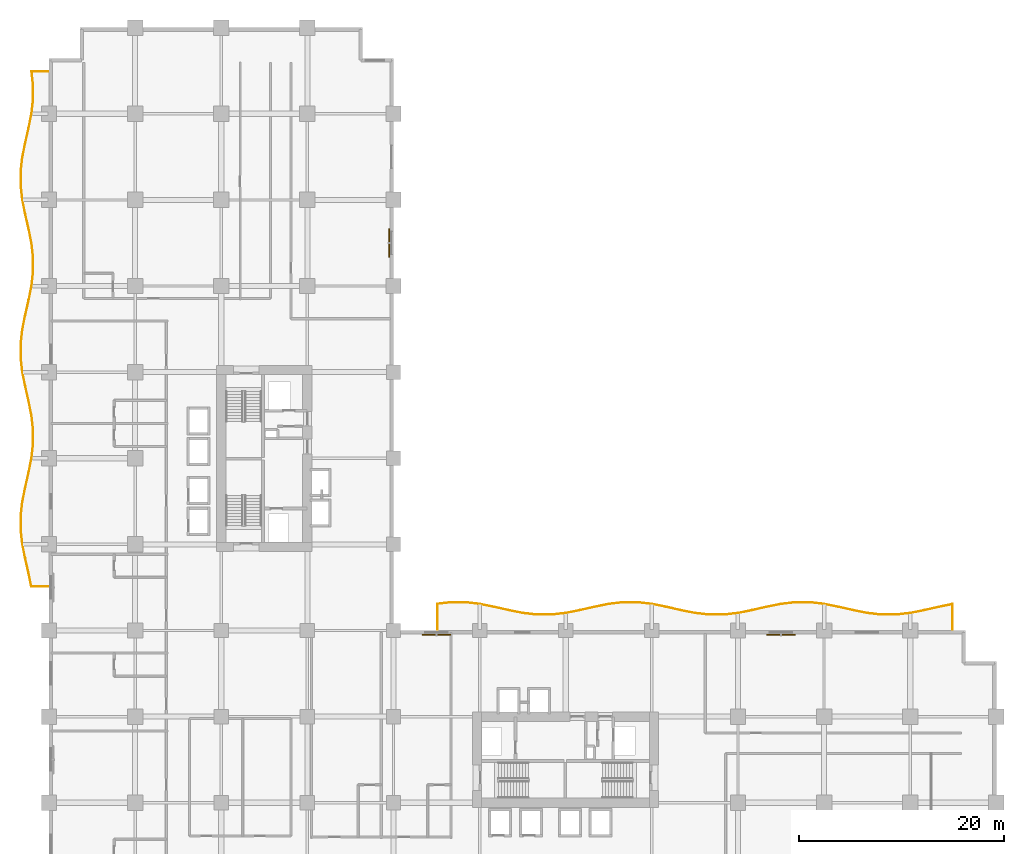
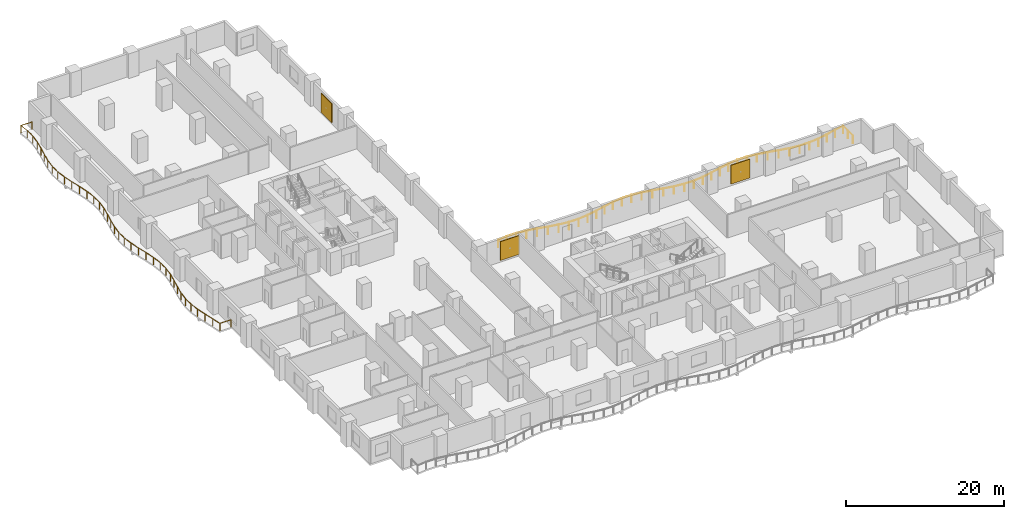
# One storey, part 20 of 20: 3 shading devices, 2 railings.
"""IFC4 building model written with IfcOpenShell, lengths in metres."""

from ifc_helpers import new_model, si_unit, direction, frame, origin, origin_2d, place, context, subcontext, project, spatial, rectangle, circle, extrude, material, layer, layer_set, type_object, element, save


model = new_model("IFC4")

# Units and contexts
model_context = context("Model", 3, precision=1e-05, world=origin(), true_north=direction((0.0, 1.0)))
body_context = subcontext(model_context, "Body", "Model", "MODEL_VIEW")
ifc_project = project(units=[si_unit("LENGTHUNIT", "METRE"), si_unit("AREAUNIT", "SQUARE_METRE"), si_unit("VOLUMEUNIT", "CUBIC_METRE"), si_unit("PLANEANGLEUNIT", "RADIAN"), si_unit("MASSUNIT", "GRAM", prefix="KILO")], contexts=[model_context])

# Site, building, storey
site_placement = place(None, origin())
site = spatial("IfcSite", under=ifc_project, at=site_placement, CompositionType="ELEMENT")
building_placement = place(site_placement, origin())
building = spatial("IfcBuilding", under=site, at=building_placement, Name="Koriwani Terraces Tower", CompositionType="ELEMENT")
storey_placement = place(building_placement, frame((0.0, 0.0, 66.199951171875)))
storey = spatial("IfcBuildingStorey", under=building, at=storey_placement, Name="L15", CompositionType="ELEMENT", Elevation=66.199951171875)

# Railings
ifc_material_1 = material(Name="Steel ASTM A572 Grade 50", Category="steel")
railing_type = type_object("IfcRailingType", Name="GUARD_BALUSTRADE_1150", PredefinedType="BALUSTRADE", material=ifc_material_1)
railing_1_placement = place(storey_placement, frame((-0.080078125, 37.8798828125, 0.0)))
element("IfcRailing", 1, at=railing_1_placement, inside=storey, type_object=railing_type, Name="L15 Balcony Perimeter Safety Balustrade (W)", PredefinedType="BALUSTRADE", context=body_context, shape_type="SweptSolid", body=[
    extrude(circle(Radius=0.02392578125, at=origin_2d()), frame((0.0, 0.0, 1.1259765625), z_axis=(-1.0, 0.0, 0.0), x_axis=(0.0, -1.0, 0.0)), (0.0, 0.0, 1.0), 1.637451171875),
    extrude(circle(Radius=0.02392578125, at=origin_2d()), frame((-1.637451171875, 0.0, 1.1259765625), z_axis=(-0.196253874553, 0.980553117747, 0.0), x_axis=(-0.980553117747, -0.196253874553, 0.0)), (0.0, 0.0, 1.0), 1.363525390625),
    extrude(circle(Radius=0.02392578125, at=origin_2d()), frame((-1.905029296875, 1.3369140625, 1.1259765625), z_axis=(-0.225107657095, 0.974333896935, 0.0), x_axis=(-0.974333896935, -0.225107657095, 0.0)), (0.0, 0.0, 1.0), 1.43701171875),
    extrude(circle(Radius=0.02392578125, at=origin_2d()), frame((-2.228515625, 2.737060546875, 1.1259765625), z_axis=(-0.196248091466, 0.980554275191, 0.0), x_axis=(-0.980554275191, -0.196248091466, 0.0)), (0.0, 0.0, 1.0), 1.423095703125),
    extrude(circle(Radius=0.02392578125, at=origin_2d()), frame((-2.5078125, 4.132568359375, 1.1259765625), z_axis=(-0.114809259658, 0.993387554732, 0.0), x_axis=(-0.993387554732, -0.114809259658, 0.0)), (0.0, 0.0, 1.0), 1.4013671875),
    extrude(circle(Radius=0.02392578125, at=origin_2d()), frame((-2.668701171875, 5.524658203125, 1.1259765625), z_axis=(0.0, 1.0, 0.0), x_axis=(-1.0, 0.0, 0.0)), (0.0, 0.0, 1.0), 1.390869140625),
    extrude(circle(Radius=0.02392578125, at=origin_2d()), frame((-2.668701171875, 6.91552734375, 1.1259765625), z_axis=(0.114809259658, 0.993387554732, 0.0), x_axis=(-0.993387554732, 0.114809259658, 0.0)), (0.0, 0.0, 1.0), 1.4013671875),
    extrude(circle(Radius=0.02392578125, at=origin_2d()), frame((-2.5078125, 8.3076171875, 1.1259765625), z_axis=(0.196248091466, 0.980554275191, 0.0), x_axis=(-0.980554275191, 0.196248091466, 0.0)), (0.0, 0.0, 1.0), 1.423095703125),
    extrude(circle(Radius=0.02392578125, at=origin_2d()), frame((-2.228515625, 9.703125, 1.1259765625), z_axis=(0.225107657095, 0.974333896935, 0.0), x_axis=(-0.974333896935, 0.225107657095, 0.0)), (0.0, 0.0, 1.0), 1.43701171875),
    extrude(circle(Radius=0.02392578125, at=origin_2d()), frame((-1.905029296875, 11.103271484375, 1.1259765625), z_axis=(0.196181690301, 0.980567562379, 0.0), x_axis=(-0.980567562379, 0.196181690301, 0.0)), (0.0, 0.0, 1.0), 1.432373046875),
    extrude(circle(Radius=0.02392578125, at=origin_2d()), frame((-1.6240234375, 12.5078125, 1.1259765625), z_axis=(0.114741814309, 0.993395347306, 0.0), x_axis=(-0.993395347306, 0.114741814309, 0.0)), (0.0, 0.0, 1.0), 1.4169921875),
    extrude(circle(Radius=0.02392578125, at=origin_2d()), frame((-1.46142578125, 13.91552734375, 1.1259765625), z_axis=(0.0, 1.0, 0.0), x_axis=(-1.0, 0.0, 0.0)), (0.0, 0.0, 1.0), 1.4091796875),
    extrude(circle(Radius=0.02392578125, at=origin_2d()), frame((-1.46142578125, 15.32470703125, 1.1259765625), z_axis=(-0.114741814309, 0.993395347306, 0.0), x_axis=(-0.993395347306, -0.114741814309, 0.0)), (0.0, 0.0, 1.0), 1.4169921875),
    extrude(circle(Radius=0.02392578125, at=origin_2d()), frame((-1.6240234375, 16.732421875, 1.1259765625), z_axis=(-0.196181690301, 0.980567562379, 0.0), x_axis=(-0.980567562379, -0.196181690301, 0.0)), (0.0, 0.0, 1.0), 1.432373046875),
    extrude(circle(Radius=0.02392578125, at=origin_2d()), frame((-1.905029296875, 18.136962890625, 1.1259765625), z_axis=(-0.225107657095, 0.974333896935, 0.0), x_axis=(-0.974333896935, -0.225107657095, 0.0)), (0.0, 0.0, 1.0), 1.43701171875),
    extrude(circle(Radius=0.02392578125, at=origin_2d()), frame((-2.228515625, 19.537109375, 1.1259765625), z_axis=(-0.196248091466, 0.980554275191, 0.0), x_axis=(-0.980554275191, -0.196248091466, 0.0)), (0.0, 0.0, 1.0), 1.423095703125),
    extrude(circle(Radius=0.02392578125, at=origin_2d()), frame((-2.5078125, 20.9326171875, 1.1259765625), z_axis=(-0.114809259658, 0.993387554732, 0.0), x_axis=(-0.993387554732, -0.114809259658, 0.0)), (0.0, 0.0, 1.0), 1.4013671875),
    extrude(circle(Radius=0.02392578125, at=origin_2d()), frame((-2.668701171875, 22.32470703125, 1.1259765625), z_axis=(0.0, 1.0, 0.0), x_axis=(-1.0, 0.0, 0.0)), (0.0, 0.0, 1.0), 1.390869140625),
    extrude(circle(Radius=0.02392578125, at=origin_2d()), frame((-2.668701171875, 23.715576171875, 1.1259765625), z_axis=(0.114809259658, 0.993387554732, 0.0), x_axis=(-0.993387554732, 0.114809259658, 0.0)), (0.0, 0.0, 1.0), 1.4013671875),
    extrude(circle(Radius=0.02392578125, at=origin_2d()), frame((-2.5078125, 25.107666015625, 1.1259765625), z_axis=(0.196248091466, 0.980554275191, 0.0), x_axis=(-0.980554275191, 0.196248091466, 0.0)), (0.0, 0.0, 1.0), 1.423095703125),
    extrude(circle(Radius=0.02392578125, at=origin_2d()), frame((-2.228515625, 26.503173828125, 1.1259765625), z_axis=(0.225107657095, 0.974333896935, 0.0), x_axis=(-0.974333896935, 0.225107657095, 0.0)), (0.0, 0.0, 1.0), 1.43701171875),
    extrude(circle(Radius=0.02392578125, at=origin_2d()), frame((-1.905029296875, 27.9033203125, 1.1259765625), z_axis=(0.19621448399, 0.980561000791, 0.0), x_axis=(-0.980561000791, 0.19621448399, 0.0)), (0.0, 0.0, 1.0), 1.43212890625),
    extrude(circle(Radius=0.02392578125, at=origin_2d()), frame((-1.6240234375, 29.3076171875, 1.1259765625), z_axis=(0.114722179915, 0.993397614974, 0.0), x_axis=(-0.993397614974, 0.114722179915, 0.0)), (0.0, 0.0, 1.0), 1.417236328125),
    extrude(circle(Radius=0.02392578125, at=origin_2d()), frame((-1.46142578125, 30.715576171875, 1.1259765625), z_axis=(0.0, 1.0, 0.0), x_axis=(-1.0, 0.0, 0.0)), (0.0, 0.0, 1.0), 1.4091796875),
    extrude(circle(Radius=0.02392578125, at=origin_2d()), frame((-1.46142578125, 32.124755859375, 1.1259765625), z_axis=(-0.114741814309, 0.993395347306, 0.0), x_axis=(-0.993395347306, -0.114741814309, 0.0)), (0.0, 0.0, 1.0), 1.4169921875),
    extrude(circle(Radius=0.02392578125, at=origin_2d()), frame((-1.6240234375, 33.532470703125, 1.1259765625), z_axis=(-0.196181690301, 0.980567562379, 0.0), x_axis=(-0.980567562379, -0.196181690301, 0.0)), (0.0, 0.0, 1.0), 1.432373046875),
    extrude(circle(Radius=0.02392578125, at=origin_2d()), frame((-1.905029296875, 34.93701171875, 1.1259765625), z_axis=(-0.225144925641, 0.974325285753, 0.0), x_axis=(-0.974325285753, -0.225144925641, 0.0)), (0.0, 0.0, 1.0), 1.436767578125),
    extrude(circle(Radius=0.02392578125, at=origin_2d()), frame((-2.228515625, 36.3369140625, 1.1259765625), z_axis=(-0.196215086073, 0.980560880312, 0.0), x_axis=(-0.980560880312, -0.196215086073, 0.0)), (0.0, 0.0, 1.0), 1.42333984375),
    extrude(circle(Radius=0.02392578125, at=origin_2d()), frame((-2.5078125, 37.732666015625, 1.1259765625), z_axis=(-0.114809259658, 0.993387554732, 0.0), x_axis=(-0.993387554732, -0.114809259658, 0.0)), (0.0, 0.0, 1.0), 1.4013671875),
    extrude(circle(Radius=0.02392578125, at=origin_2d()), frame((-2.668701171875, 39.124755859375, 1.1259765625), z_axis=(0.0, 1.0, 0.0), x_axis=(-1.0, 0.0, 0.0)), (0.0, 0.0, 1.0), 1.390869140625),
    extrude(circle(Radius=0.02392578125, at=origin_2d()), frame((-2.668701171875, 40.515625, 1.1259765625), z_axis=(0.114809259658, 0.993387554732, 0.0), x_axis=(-0.993387554732, 0.114809259658, 0.0)), (0.0, 0.0, 1.0), 1.4013671875),
    extrude(circle(Radius=0.02392578125, at=origin_2d()), frame((-2.5078125, 41.90771484375, 1.1259765625), z_axis=(0.196248091466, 0.980554275191, 0.0), x_axis=(-0.980554275191, 0.196248091466, 0.0)), (0.0, 0.0, 1.0), 1.423095703125),
    extrude(circle(Radius=0.02392578125, at=origin_2d()), frame((-2.228515625, 43.30322265625, 1.1259765625), z_axis=(0.225144925641, 0.974325285753, 0.0), x_axis=(-0.974325285753, 0.225144925641, 0.0)), (0.0, 0.0, 1.0), 1.436767578125),
    extrude(circle(Radius=0.02392578125, at=origin_2d()), frame((-1.905029296875, 44.703125, 1.1259765625), z_axis=(0.196181690301, 0.980567562379, 0.0), x_axis=(-0.980567562379, 0.196181690301, 0.0)), (0.0, 0.0, 1.0), 1.432373046875),
    extrude(circle(Radius=0.02392578125, at=origin_2d()), frame((-1.6240234375, 46.107666015625, 1.1259765625), z_axis=(0.114722179915, 0.993397614974, 0.0), x_axis=(-0.993397614974, 0.114722179915, 0.0)), (0.0, 0.0, 1.0), 1.417236328125),
    extrude(circle(Radius=0.02392578125, at=origin_2d()), frame((-1.46142578125, 47.515625, 1.1259765625), z_axis=(0.0, 1.0, 0.0), x_axis=(-1.0, 0.0, 0.0)), (0.0, 0.0, 1.0), 1.4091796875),
    extrude(circle(Radius=0.02392578125, at=origin_2d()), frame((-1.46142578125, 48.9248046875, 1.1259765625), z_axis=(-0.11468009264, 0.993402474505, 0.0), x_axis=(-0.993402474505, -0.11468009264, 0.0)), (0.0, 0.0, 1.0), 1.32421875),
    extrude(circle(Radius=0.02392578125, at=origin_2d()), frame((-1.61328125, 50.240234375, 1.1259765625), z_axis=(1.0, 0.0, 0.0), x_axis=(0.0, 1.0, 0.0)), (0.0, 0.0, 1.0), 1.61328125),
    extrude(circle(Radius=0.02099609375, at=origin_2d()), origin(), (0.0, 0.0, 1.0), 1.101806640625),
    extrude(circle(Radius=0.02099609375, at=origin_2d()), frame((-1.637451171875, 0.0, 0.0)), (0.0, 0.0, 1.0), 1.101806640625),
    extrude(circle(Radius=0.02099609375, at=origin_2d()), frame((-1.905029296875, 1.3369140625, 0.0)), (0.0, 0.0, 1.0), 1.101806640625),
    extrude(circle(Radius=0.02099609375, at=origin_2d()), frame((-2.228515625, 2.737060546875, 0.0)), (0.0, 0.0, 1.0), 1.101806640625),
    extrude(circle(Radius=0.02099609375, at=origin_2d()), frame((-2.5078125, 4.132568359375, 0.0)), (0.0, 0.0, 1.0), 1.101806640625),
    extrude(circle(Radius=0.02099609375, at=origin_2d()), frame((-2.668701171875, 5.524658203125, 0.0)), (0.0, 0.0, 1.0), 1.101806640625),
    extrude(circle(Radius=0.02099609375, at=origin_2d()), frame((-2.668701171875, 6.91552734375, 0.0)), (0.0, 0.0, 1.0), 1.101806640625),
    extrude(circle(Radius=0.02099609375, at=origin_2d()), frame((-2.5078125, 8.3076171875, 0.0)), (0.0, 0.0, 1.0), 1.101806640625),
    extrude(circle(Radius=0.02099609375, at=origin_2d()), frame((-2.228515625, 9.703125, 0.0)), (0.0, 0.0, 1.0), 1.101806640625),
    extrude(circle(Radius=0.02099609375, at=origin_2d()), frame((-1.905029296875, 11.103271484375, 0.0)), (0.0, 0.0, 1.0), 1.101806640625),
    extrude(circle(Radius=0.02099609375, at=origin_2d()), frame((-1.6240234375, 12.5078125, 0.0)), (0.0, 0.0, 1.0), 1.101806640625),
    extrude(circle(Radius=0.02099609375, at=origin_2d()), frame((-1.46142578125, 13.91552734375, 0.0)), (0.0, 0.0, 1.0), 1.101806640625),
    extrude(circle(Radius=0.02099609375, at=origin_2d()), frame((-1.46142578125, 15.32470703125, 0.0)), (0.0, 0.0, 1.0), 1.101806640625),
    extrude(circle(Radius=0.02099609375, at=origin_2d()), frame((-1.6240234375, 16.732421875, 0.0)), (0.0, 0.0, 1.0), 1.101806640625),
    extrude(circle(Radius=0.02099609375, at=origin_2d()), frame((-1.905029296875, 18.136962890625, 0.0)), (0.0, 0.0, 1.0), 1.101806640625),
    extrude(circle(Radius=0.02099609375, at=origin_2d()), frame((-2.228515625, 19.537109375, 0.0)), (0.0, 0.0, 1.0), 1.101806640625),
    extrude(circle(Radius=0.02099609375, at=origin_2d()), frame((-2.5078125, 20.9326171875, 0.0)), (0.0, 0.0, 1.0), 1.101806640625),
    extrude(circle(Radius=0.02099609375, at=origin_2d()), frame((-2.668701171875, 22.32470703125, 0.0)), (0.0, 0.0, 1.0), 1.101806640625),
    extrude(circle(Radius=0.02099609375, at=origin_2d()), frame((-2.668701171875, 23.715576171875, 0.0)), (0.0, 0.0, 1.0), 1.101806640625),
    extrude(circle(Radius=0.02099609375, at=origin_2d()), frame((-2.5078125, 25.107666015625, 0.0)), (0.0, 0.0, 1.0), 1.101806640625),
    extrude(circle(Radius=0.02099609375, at=origin_2d()), frame((-2.228515625, 26.503173828125, 0.0)), (0.0, 0.0, 1.0), 1.101806640625),
    extrude(circle(Radius=0.02099609375, at=origin_2d()), frame((-1.905029296875, 27.9033203125, 0.0)), (0.0, 0.0, 1.0), 1.101806640625),
    extrude(circle(Radius=0.02099609375, at=origin_2d()), frame((-1.6240234375, 29.3076171875, 0.0)), (0.0, 0.0, 1.0), 1.101806640625),
    extrude(circle(Radius=0.02099609375, at=origin_2d()), frame((-1.46142578125, 30.715576171875, 0.0)), (0.0, 0.0, 1.0), 1.101806640625),
    extrude(circle(Radius=0.02099609375, at=origin_2d()), frame((-1.46142578125, 32.124755859375, 0.0)), (0.0, 0.0, 1.0), 1.101806640625),
    extrude(circle(Radius=0.02099609375, at=origin_2d()), frame((-1.6240234375, 33.532470703125, 0.0)), (0.0, 0.0, 1.0), 1.101806640625),
    extrude(circle(Radius=0.02099609375, at=origin_2d()), frame((-1.905029296875, 34.93701171875, 0.0)), (0.0, 0.0, 1.0), 1.101806640625),
    extrude(circle(Radius=0.02099609375, at=origin_2d()), frame((-2.228515625, 36.3369140625, 0.0)), (0.0, 0.0, 1.0), 1.101806640625),
    extrude(circle(Radius=0.02099609375, at=origin_2d()), frame((-2.5078125, 37.732666015625, 0.0)), (0.0, 0.0, 1.0), 1.101806640625),
    extrude(circle(Radius=0.02099609375, at=origin_2d()), frame((-2.668701171875, 39.124755859375, 0.0)), (0.0, 0.0, 1.0), 1.101806640625),
    extrude(circle(Radius=0.02099609375, at=origin_2d()), frame((-2.668701171875, 40.515625, 0.0)), (0.0, 0.0, 1.0), 1.101806640625),
    extrude(circle(Radius=0.02099609375, at=origin_2d()), frame((-2.5078125, 41.90771484375, 0.0)), (0.0, 0.0, 1.0), 1.101806640625),
    extrude(circle(Radius=0.02099609375, at=origin_2d()), frame((-2.228515625, 43.30322265625, 0.0)), (0.0, 0.0, 1.0), 1.101806640625),
    extrude(circle(Radius=0.02099609375, at=origin_2d()), frame((-1.905029296875, 44.703125, 0.0)), (0.0, 0.0, 1.0), 1.101806640625),
    extrude(circle(Radius=0.02099609375, at=origin_2d()), frame((-1.6240234375, 46.107666015625, 0.0)), (0.0, 0.0, 1.0), 1.101806640625),
    extrude(circle(Radius=0.02099609375, at=origin_2d()), frame((-1.46142578125, 47.515625, 0.0)), (0.0, 0.0, 1.0), 1.101806640625),
    extrude(circle(Radius=0.02099609375, at=origin_2d()), frame((-1.46142578125, 48.9248046875, 0.0)), (0.0, 0.0, 1.0), 1.101806640625),
    extrude(circle(Radius=0.02099609375, at=origin_2d()), frame((-1.61328125, 50.240234375, 0.0)), (0.0, 0.0, 1.0), 1.101806640625),
    extrude(circle(Radius=0.02099609375, at=origin_2d()), frame((0.0, 50.240234375, 0.0)), (0.0, 0.0, 1.0), 1.101806640625),
])
railing_2_placement = place(storey_placement, frame((88.1201171875, 33.679931640625, 0.0)))
element("IfcRailing", 2, at=railing_2_placement, inside=storey, type_object=railing_type, Name="L15 Balcony Perimeter Safety Balustrade (NE)", PredefinedType="BALUSTRADE", context=body_context, shape_type="SweptSolid", body=[
    extrude(circle(Radius=0.02392578125, at=origin_2d()), frame((0.0, 0.0, 1.1259765625), z_axis=(0.0, 1.0, 0.0), x_axis=(-1.0, 0.0, 0.0)), (0.0, 0.0, 1.0), 2.4892578125),
    extrude(circle(Radius=0.02392578125, at=origin_2d()), frame((0.0, 2.4892578125, 1.1259765625), z_axis=(-0.980601866361, -0.196010152006, 0.0), x_axis=(0.196010152006, -0.980601866361, 0.0)), (0.0, 0.0, 1.0), 1.3291015625),
    extrude(circle(Radius=0.02392578125, at=origin_2d()), frame((-1.30322265625, 2.228759765625, 1.1259765625), z_axis=(-0.974287999277, -0.22530622376, 0.0), x_axis=(0.22530622376, -0.974287999277, 0.0)), (0.0, 0.0, 1.0), 1.436767578125),
    extrude(circle(Radius=0.02392578125, at=origin_2d()), frame((-2.703125, 1.905029296875, 1.1259765625), z_axis=(-0.980600338098, -0.196017797464, 0.0), x_axis=(0.196017797464, -0.980600338098, 0.0)), (0.0, 0.0, 1.0), 1.432373046875),
    extrude(circle(Radius=0.02392578125, at=origin_2d()), frame((-4.107666015625, 1.624267578125, 1.1259765625), z_axis=(-0.993397614974, -0.114722179915, 0.0), x_axis=(0.114722179915, -0.993397614974, 0.0)), (0.0, 0.0, 1.0), 1.417236328125),
    extrude(circle(Radius=0.02392578125, at=origin_2d()), frame((-5.515625, 1.461669921875, 1.1259765625), z_axis=(-1.0, 0.0, 0.0), x_axis=(0.0, -1.0, 0.0)), (0.0, 0.0, 1.0), 1.4091796875),
    extrude(circle(Radius=0.02392578125, at=origin_2d()), frame((-6.9248046875, 1.461669921875, 1.1259765625), z_axis=(-0.993395347306, 0.114741814309, 0.0), x_axis=(-0.114741814309, -0.993395347306, 0.0)), (0.0, 0.0, 1.0), 1.4169921875),
    extrude(circle(Radius=0.02392578125, at=origin_2d()), frame((-8.33251953125, 1.624267578125, 1.1259765625), z_axis=(-0.980600338098, 0.196017797464, 0.0), x_axis=(-0.196017797464, -0.980600338098, 0.0)), (0.0, 0.0, 1.0), 1.432373046875),
    extrude(circle(Radius=0.02392578125, at=origin_2d()), frame((-9.737060546875, 1.905029296875, 1.1259765625), z_axis=(-0.974287999277, 0.22530622376, 0.0), x_axis=(-0.22530622376, -0.974287999277, 0.0)), (0.0, 0.0, 1.0), 1.436767578125),
    extrude(circle(Radius=0.02392578125, at=origin_2d()), frame((-11.136962890625, 2.228759765625, 1.1259765625), z_axis=(-0.980593867507, 0.19605016452, 0.0), x_axis=(-0.19605016452, -0.980593867507, 0.0)), (0.0, 0.0, 1.0), 1.42333984375),
    extrude(circle(Radius=0.02392578125, at=origin_2d()), frame((-12.53271484375, 2.5078125, 1.1259765625), z_axis=(-0.993387554732, 0.114809259658, 0.0), x_axis=(-0.114809259658, -0.993387554732, 0.0)), (0.0, 0.0, 1.0), 1.4013671875),
    extrude(circle(Radius=0.02392578125, at=origin_2d()), frame((-13.9248046875, 2.668701171875, 1.1259765625), z_axis=(-1.0, 0.0, 0.0), x_axis=(0.0, -1.0, 0.0)), (0.0, 0.0, 1.0), 1.390625),
    extrude(circle(Radius=0.02392578125, at=origin_2d()), frame((-15.3154296875, 2.668701171875, 1.1259765625), z_axis=(-0.993387554732, -0.114809259658, 0.0), x_axis=(0.114809259658, -0.993387554732, 0.0)), (0.0, 0.0, 1.0), 1.4013671875),
    extrude(circle(Radius=0.02392578125, at=origin_2d()), frame((-16.70751953125, 2.5078125, 1.1259765625), z_axis=(-0.980593867507, -0.19605016452, 0.0), x_axis=(0.19605016452, -0.980593867507, 0.0)), (0.0, 0.0, 1.0), 1.42333984375),
    extrude(circle(Radius=0.02392578125, at=origin_2d()), frame((-18.103271484375, 2.228759765625, 1.1259765625), z_axis=(-0.974287999277, -0.22530622376, 0.0), x_axis=(0.22530622376, -0.974287999277, 0.0)), (0.0, 0.0, 1.0), 1.436767578125),
    extrude(circle(Radius=0.02392578125, at=origin_2d()), frame((-19.503173828125, 1.905029296875, 1.1259765625), z_axis=(-0.980600338098, -0.196017797464, 0.0), x_axis=(0.196017797464, -0.980600338098, 0.0)), (0.0, 0.0, 1.0), 1.432373046875),
    extrude(circle(Radius=0.02392578125, at=origin_2d()), frame((-20.90771484375, 1.624267578125, 1.1259765625), z_axis=(-0.993395347306, -0.114741814309, 0.0), x_axis=(0.114741814309, -0.993395347306, 0.0)), (0.0, 0.0, 1.0), 1.4169921875),
    extrude(circle(Radius=0.02392578125, at=origin_2d()), frame((-22.3154296875, 1.461669921875, 1.1259765625), z_axis=(-1.0, 0.0, 0.0), x_axis=(0.0, -1.0, 0.0)), (0.0, 0.0, 1.0), 1.4091796875),
    extrude(circle(Radius=0.02392578125, at=origin_2d()), frame((-23.724609375, 1.461669921875, 1.1259765625), z_axis=(-0.993397614974, 0.114722179915, 0.0), x_axis=(-0.114722179915, -0.993397614974, 0.0)), (0.0, 0.0, 1.0), 1.417236328125),
    extrude(circle(Radius=0.02392578125, at=origin_2d()), frame((-25.132568359375, 1.624267578125, 1.1259765625), z_axis=(-0.980600338098, 0.196017797464, 0.0), x_axis=(-0.196017797464, -0.980600338098, 0.0)), (0.0, 0.0, 1.0), 1.432373046875),
    extrude(circle(Radius=0.02392578125, at=origin_2d()), frame((-26.537109375, 1.905029296875, 1.1259765625), z_axis=(-0.974287999277, 0.22530622376, 0.0), x_axis=(-0.22530622376, -0.974287999277, 0.0)), (0.0, 0.0, 1.0), 1.436767578125),
    extrude(circle(Radius=0.02392578125, at=origin_2d()), frame((-27.93701171875, 2.228759765625, 1.1259765625), z_axis=(-0.980587273263, 0.196083144391, 0.0), x_axis=(-0.196083144391, -0.980587273263, 0.0)), (0.0, 0.0, 1.0), 1.423095703125),
    extrude(circle(Radius=0.02392578125, at=origin_2d()), frame((-29.33251953125, 2.5078125, 1.1259765625), z_axis=(-0.993387554732, 0.114809259658, 0.0), x_axis=(-0.114809259658, -0.993387554732, 0.0)), (0.0, 0.0, 1.0), 1.4013671875),
    extrude(circle(Radius=0.02392578125, at=origin_2d()), frame((-30.724609375, 2.668701171875, 1.1259765625), z_axis=(-1.0, 0.0, 0.0), x_axis=(0.0, -1.0, 0.0)), (0.0, 0.0, 1.0), 1.390869140625),
    extrude(circle(Radius=0.02392578125, at=origin_2d()), frame((-32.115478515625, 2.668701171875, 1.1259765625), z_axis=(-0.993387554732, -0.114809259658, 0.0), x_axis=(0.114809259658, -0.993387554732, 0.0)), (0.0, 0.0, 1.0), 1.4013671875),
    extrude(circle(Radius=0.02392578125, at=origin_2d()), frame((-33.507568359375, 2.5078125, 1.1259765625), z_axis=(-0.980593867507, -0.19605016452, 0.0), x_axis=(0.19605016452, -0.980593867507, 0.0)), (0.0, 0.0, 1.0), 1.42333984375),
    extrude(circle(Radius=0.02392578125, at=origin_2d()), frame((-34.9033203125, 2.228759765625, 1.1259765625), z_axis=(-0.974287999277, -0.22530622376, 0.0), x_axis=(0.22530622376, -0.974287999277, 0.0)), (0.0, 0.0, 1.0), 1.436767578125),
    extrude(circle(Radius=0.02392578125, at=origin_2d()), frame((-36.30322265625, 1.905029296875, 1.1259765625), z_axis=(-0.980600338098, -0.196017797464, 0.0), x_axis=(0.196017797464, -0.980600338098, 0.0)), (0.0, 0.0, 1.0), 1.432373046875),
    extrude(circle(Radius=0.02392578125, at=origin_2d()), frame((-37.707763671875, 1.624267578125, 1.1259765625), z_axis=(-0.993395347306, -0.114741814309, 0.0), x_axis=(0.114741814309, -0.993395347306, 0.0)), (0.0, 0.0, 1.0), 1.4169921875),
    extrude(circle(Radius=0.02392578125, at=origin_2d()), frame((-39.115478515625, 1.461669921875, 1.1259765625), z_axis=(-1.0, 0.0, 0.0), x_axis=(0.0, -1.0, 0.0)), (0.0, 0.0, 1.0), 1.4091796875),
    extrude(circle(Radius=0.02392578125, at=origin_2d()), frame((-40.524658203125, 1.461669921875, 1.1259765625), z_axis=(-0.993397614974, 0.114722179915, 0.0), x_axis=(-0.114722179915, -0.993397614974, 0.0)), (0.0, 0.0, 1.0), 1.417236328125),
    extrude(circle(Radius=0.02392578125, at=origin_2d()), frame((-41.9326171875, 1.624267578125, 1.1259765625), z_axis=(-0.980593787249, 0.196050565949, 0.0), x_axis=(-0.196050565949, -0.980593787249, 0.0)), (0.0, 0.0, 1.0), 1.43212890625),
    extrude(circle(Radius=0.02392578125, at=origin_2d()), frame((-43.3369140625, 1.905029296875, 1.1259765625), z_axis=(-0.974296622472, 0.225268931368, 0.0), x_axis=(-0.225268931368, -0.974296622472, 0.0)), (0.0, 0.0, 1.0), 1.43701171875),
    extrude(circle(Radius=0.02392578125, at=origin_2d()), frame((-44.737060546875, 2.228759765625, 1.1259765625), z_axis=(-0.980587273263, 0.196083144391, 0.0), x_axis=(-0.196083144391, -0.980587273263, 0.0)), (0.0, 0.0, 1.0), 1.423095703125),
    extrude(circle(Radius=0.02392578125, at=origin_2d()), frame((-46.132568359375, 2.5078125, 1.1259765625), z_axis=(-0.993387554732, 0.114809259658, 0.0), x_axis=(-0.114809259658, -0.993387554732, 0.0)), (0.0, 0.0, 1.0), 1.4013671875),
    extrude(circle(Radius=0.02392578125, at=origin_2d()), frame((-47.524658203125, 2.668701171875, 1.1259765625), z_axis=(-1.0, 0.0, 0.0), x_axis=(0.0, -1.0, 0.0)), (0.0, 0.0, 1.0), 1.390869140625),
    extrude(circle(Radius=0.02392578125, at=origin_2d()), frame((-48.91552734375, 2.668701171875, 1.1259765625), z_axis=(-0.993389678473, -0.114790882492, 0.0), x_axis=(0.114790882492, -0.993389678473, 0.0)), (0.0, 0.0, 1.0), 1.33349609375),
    extrude(circle(Radius=0.02392578125, at=origin_2d()), frame((-50.240234375, 2.515625, 1.1259765625), z_axis=(0.0, -1.0, 0.0), x_axis=(1.0, 0.0, 0.0)), (0.0, 0.0, 1.0), 2.515625),
    extrude(circle(Radius=0.02099609375, at=origin_2d()), origin(), (0.0, 0.0, 1.0), 1.101806640625),
    extrude(circle(Radius=0.02099609375, at=origin_2d()), frame((0.0, 1.24462890625, 0.0)), (0.0, 0.0, 1.0), 1.101806640625),
    extrude(circle(Radius=0.02099609375, at=origin_2d()), frame((0.0, 2.4892578125, 0.0)), (0.0, 0.0, 1.0), 1.101806640625),
    extrude(circle(Radius=0.02099609375, at=origin_2d()), frame((-1.30322265625, 2.228759765625, 0.0)), (0.0, 0.0, 1.0), 1.101806640625),
    extrude(circle(Radius=0.02099609375, at=origin_2d()), frame((-2.703125, 1.905029296875, 0.0)), (0.0, 0.0, 1.0), 1.101806640625),
    extrude(circle(Radius=0.02099609375, at=origin_2d()), frame((-4.107666015625, 1.624267578125, 0.0)), (0.0, 0.0, 1.0), 1.101806640625),
    extrude(circle(Radius=0.02099609375, at=origin_2d()), frame((-5.515625, 1.461669921875, 0.0)), (0.0, 0.0, 1.0), 1.101806640625),
    extrude(circle(Radius=0.02099609375, at=origin_2d()), frame((-6.9248046875, 1.461669921875, 0.0)), (0.0, 0.0, 1.0), 1.101806640625),
    extrude(circle(Radius=0.02099609375, at=origin_2d()), frame((-8.33251953125, 1.624267578125, 0.0)), (0.0, 0.0, 1.0), 1.101806640625),
    extrude(circle(Radius=0.02099609375, at=origin_2d()), frame((-9.737060546875, 1.905029296875, 0.0)), (0.0, 0.0, 1.0), 1.101806640625),
    extrude(circle(Radius=0.02099609375, at=origin_2d()), frame((-11.136962890625, 2.228759765625, 0.0)), (0.0, 0.0, 1.0), 1.101806640625),
    extrude(circle(Radius=0.02099609375, at=origin_2d()), frame((-12.53271484375, 2.5078125, 0.0)), (0.0, 0.0, 1.0), 1.101806640625),
    extrude(circle(Radius=0.02099609375, at=origin_2d()), frame((-13.9248046875, 2.668701171875, 0.0)), (0.0, 0.0, 1.0), 1.101806640625),
    extrude(circle(Radius=0.02099609375, at=origin_2d()), frame((-15.3154296875, 2.668701171875, 0.0)), (0.0, 0.0, 1.0), 1.101806640625),
    extrude(circle(Radius=0.02099609375, at=origin_2d()), frame((-16.70751953125, 2.5078125, 0.0)), (0.0, 0.0, 1.0), 1.101806640625),
    extrude(circle(Radius=0.02099609375, at=origin_2d()), frame((-18.103271484375, 2.228759765625, 0.0)), (0.0, 0.0, 1.0), 1.101806640625),
    extrude(circle(Radius=0.02099609375, at=origin_2d()), frame((-19.503173828125, 1.905029296875, 0.0)), (0.0, 0.0, 1.0), 1.101806640625),
    extrude(circle(Radius=0.02099609375, at=origin_2d()), frame((-20.90771484375, 1.624267578125, 0.0)), (0.0, 0.0, 1.0), 1.101806640625),
    extrude(circle(Radius=0.02099609375, at=origin_2d()), frame((-22.3154296875, 1.461669921875, 0.0)), (0.0, 0.0, 1.0), 1.101806640625),
    extrude(circle(Radius=0.02099609375, at=origin_2d()), frame((-23.724609375, 1.461669921875, 0.0)), (0.0, 0.0, 1.0), 1.101806640625),
    extrude(circle(Radius=0.02099609375, at=origin_2d()), frame((-25.132568359375, 1.624267578125, 0.0)), (0.0, 0.0, 1.0), 1.101806640625),
    extrude(circle(Radius=0.02099609375, at=origin_2d()), frame((-26.537109375, 1.905029296875, 0.0)), (0.0, 0.0, 1.0), 1.101806640625),
    extrude(circle(Radius=0.02099609375, at=origin_2d()), frame((-27.93701171875, 2.228759765625, 0.0)), (0.0, 0.0, 1.0), 1.101806640625),
    extrude(circle(Radius=0.02099609375, at=origin_2d()), frame((-29.33251953125, 2.5078125, 0.0)), (0.0, 0.0, 1.0), 1.101806640625),
    extrude(circle(Radius=0.02099609375, at=origin_2d()), frame((-30.724609375, 2.668701171875, 0.0)), (0.0, 0.0, 1.0), 1.101806640625),
    extrude(circle(Radius=0.02099609375, at=origin_2d()), frame((-32.115478515625, 2.668701171875, 0.0)), (0.0, 0.0, 1.0), 1.101806640625),
    extrude(circle(Radius=0.02099609375, at=origin_2d()), frame((-33.507568359375, 2.5078125, 0.0)), (0.0, 0.0, 1.0), 1.101806640625),
    extrude(circle(Radius=0.02099609375, at=origin_2d()), frame((-34.9033203125, 2.228759765625, 0.0)), (0.0, 0.0, 1.0), 1.101806640625),
    extrude(circle(Radius=0.02099609375, at=origin_2d()), frame((-36.30322265625, 1.905029296875, 0.0)), (0.0, 0.0, 1.0), 1.101806640625),
    extrude(circle(Radius=0.02099609375, at=origin_2d()), frame((-37.707763671875, 1.624267578125, 0.0)), (0.0, 0.0, 1.0), 1.101806640625),
    extrude(circle(Radius=0.02099609375, at=origin_2d()), frame((-39.115478515625, 1.461669921875, 0.0)), (0.0, 0.0, 1.0), 1.101806640625),
    extrude(circle(Radius=0.02099609375, at=origin_2d()), frame((-40.524658203125, 1.461669921875, 0.0)), (0.0, 0.0, 1.0), 1.101806640625),
    extrude(circle(Radius=0.02099609375, at=origin_2d()), frame((-41.9326171875, 1.624267578125, 0.0)), (0.0, 0.0, 1.0), 1.101806640625),
    extrude(circle(Radius=0.02099609375, at=origin_2d()), frame((-43.3369140625, 1.905029296875, 0.0)), (0.0, 0.0, 1.0), 1.101806640625),
    extrude(circle(Radius=0.02099609375, at=origin_2d()), frame((-44.737060546875, 2.228759765625, 0.0)), (0.0, 0.0, 1.0), 1.101806640625),
    extrude(circle(Radius=0.02099609375, at=origin_2d()), frame((-46.132568359375, 2.5078125, 0.0)), (0.0, 0.0, 1.0), 1.101806640625),
    extrude(circle(Radius=0.02099609375, at=origin_2d()), frame((-47.524658203125, 2.668701171875, 0.0)), (0.0, 0.0, 1.0), 1.101806640625),
    extrude(circle(Radius=0.02099609375, at=origin_2d()), frame((-48.91552734375, 2.668701171875, 0.0)), (0.0, 0.0, 1.0), 1.101806640625),
    extrude(circle(Radius=0.02099609375, at=origin_2d()), frame((-50.240234375, 2.515625, 0.0)), (0.0, 0.0, 1.0), 1.101806640625),
    extrude(circle(Radius=0.02099609375, at=origin_2d()), frame((-50.240234375, 1.2578125, 0.0)), (0.0, 0.0, 1.0), 1.101806640625),
    extrude(circle(Radius=0.02099609375, at=origin_2d()), frame((-50.240234375, 0.0, 0.0)), (0.0, 0.0, 1.0), 1.101806640625),
])

# Shading devices
ifc_material_2 = material(Name="Extruded Terracotta Clay", Category="masonry")
ifc_layer = layer(ifc_material_2, 0.1201171875, Name="Extruded Terracotta Clay")
ifc_layer_set = layer_set([ifc_layer], Name="Extruded Terracotta Clay")
shading_device_type = type_object("IfcShadingDeviceType", Name="TERRACOTTA_BAGUETTE_SCREEN_2800", PredefinedType="USERDEFINED", material=ifc_layer_set)
for number, where, z_axis, x_axis, name in (
    (3, (33.195068359375, 71.39990234375, 0.3251953125), (0.0, 0.0, 1.0), (0.0, -1.0, 0.0), "L15 Extruded Terracotta Baguette Screen (NW_IN-14)"),
    (4, (37.800048828125, 33.195068359375, 0.3251953125), (0.0, 0.0, 1.0), (1.0, 0.0, 0.0), "L15 Extruded Terracotta Baguette Screen (NE-2)"),
    (5, (71.39990234375, 33.195068359375, 0.3251953125), (0.0, 0.0, 1.0), (1.0, 0.0, 0.0), "L15 Extruded Terracotta Baguette Screen (NE-14)"),
):
    element("IfcShadingDevice", number, at=place(storey_placement, frame(where, z_axis=z_axis, x_axis=x_axis)), inside=storey, type_object=shading_device_type, Name=name, ObjectType="BAGUETTE", PredefinedType="USERDEFINED", context=body_context, shape_type="SweptSolid", body=[
        extrude(rectangle(XDim=2.760009765625, YDim=0.1201171875, at=origin_2d()), origin(), (0.0, 0.0, 1.0), 2.89990234375),
    ])

save(model, "model.ifc")
